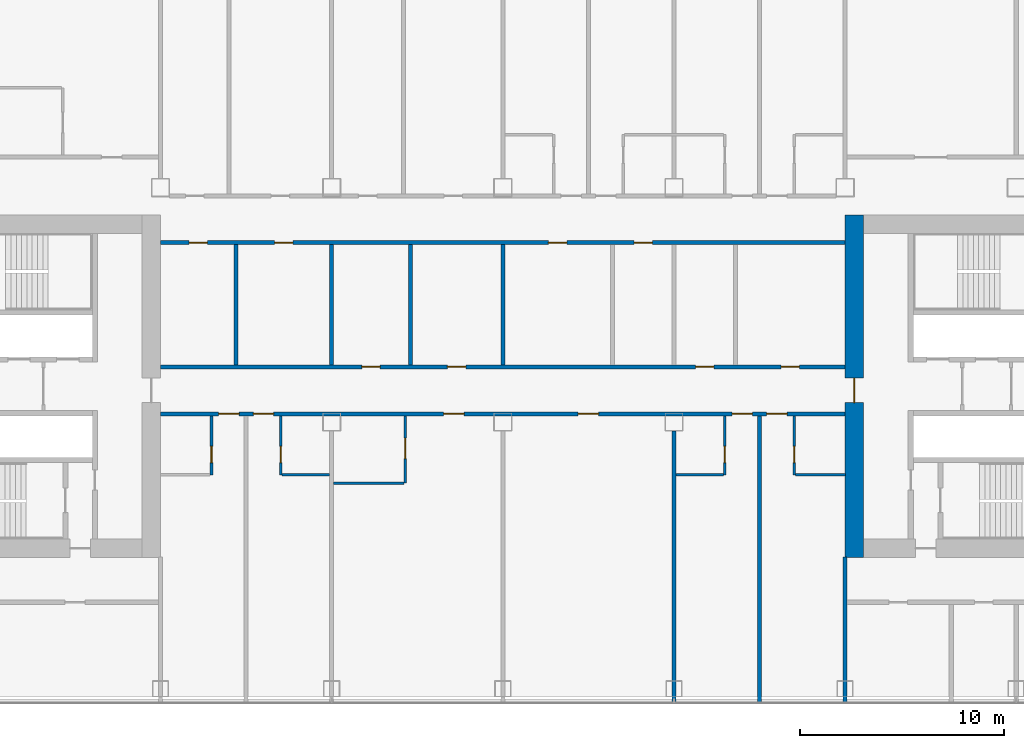
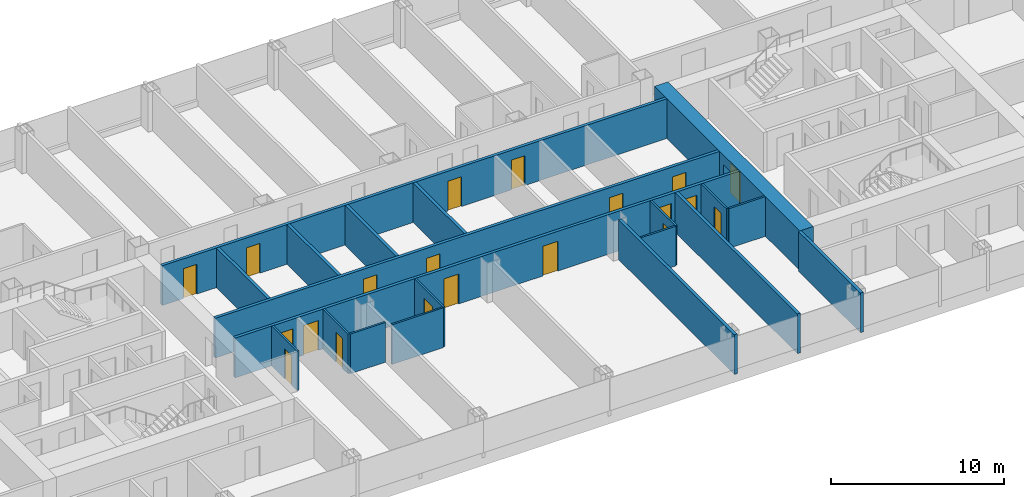
# One storey, part 17 of 29: 20 doors, 20 walls, 20 openings.
"""IFC4 building model written with IfcOpenShell, lengths in metres."""

from ifc_helpers import new_model, si_unit, direction, frame, frame_2d, origin, place, context, subcontext, project, spatial, rectangle, extrude, material, layer, layer_set, type_object, element, fill, save


model = new_model("IFC4")

# Units and contexts
model_context = context("Model", 3, precision=1e-05, world=origin(), true_north=direction((0.0, 1.0)))
body_context = subcontext(model_context, "Body", "Model", "MODEL_VIEW")
ifc_project = project(units=[si_unit("LENGTHUNIT", "METRE"), si_unit("AREAUNIT", "SQUARE_METRE"), si_unit("VOLUMEUNIT", "CUBIC_METRE"), si_unit("PLANEANGLEUNIT", "RADIAN"), si_unit("MASSUNIT", "GRAM", prefix="KILO")], contexts=[model_context])

# Site, building, storey
site_placement = place(None, origin())
site = spatial("IfcSite", under=ifc_project, at=site_placement, CompositionType="ELEMENT")
building_placement = place(site_placement, origin())
building = spatial("IfcBuilding", under=site, at=building_placement, Name="Hakoniwa Tower and Hamabe Station Hall", CompositionType="ELEMENT")
storey_placement = place(building_placement, frame((0.0, 0.0, 78.60009765625)))
storey = spatial("IfcBuildingStorey", under=building, at=storey_placement, Name="L21", CompositionType="ELEMENT", Elevation=78.60009765625)

# Walls
ifc_material_1 = material(Name="Gypsum board partition", Category="gypsum")
ifc_layer_1 = layer(ifc_material_1, 0.125)
ifc_layer_set_1 = layer_set([ifc_layer_1], Name="Bathroom Partition 125")
wall_type_1 = type_object("IfcWallType", Name="Bathroom Partition 125", PredefinedType="PARTITIONING", material=ifc_layer_set_1)
wall_1_placement = place(storey_placement, frame((-8.300048828125, -4.75, 0.0), z_axis=(0.0, 0.0, 1.0), x_axis=(1.0, 0.0, 0.0)))
element("IfcWall", 1, at=wall_1_placement, inside=storey, type_object=wall_type_1, Name="GW-L21-007", PredefinedType="PARTITIONING", context=body_context, shape_type="SweptSolid", body=[
    extrude(rectangle(XDim=3.4375, YDim=0.125, at=frame_2d((1.71875, 0.0))), origin(), (0.0, 0.0, 1.0), 2.7998046875),
])
for number, where, z_axis, x_axis, name in (
    (2, (-10.83740234375, -4.35009765625, 0.0), (0.0, 0.0, 1.0), (1.0, 0.0, 0.0), "GW-L21-009"),
    (3, (8.5, -4.35009765625, 0.0), (0.0, 0.0, 1.0), (1.0, 0.0, 0.0), "GW-L21-010"),
):
    element("IfcWall", number, at=place(storey_placement, frame(where, z_axis=z_axis, x_axis=x_axis)), inside=storey, type_object=wall_type_1, Name=name, PredefinedType="PARTITIONING", context=body_context, shape_type="SweptSolid", body=[
        extrude(rectangle(XDim=2.33740234375, YDim=0.125, at=frame_2d((1.168701171875, 0.0))), origin(), (0.0, 0.0, 1.0), 2.7998046875),
    ])
wall_2_placement = place(storey_placement, frame((14.362548828125, -4.35009765625, 0.0), z_axis=(0.0, 0.0, 1.0), x_axis=(1.0, 0.0, 0.0)))
element("IfcWall", 4, at=wall_2_placement, inside=storey, type_object=wall_type_1, Name="GW-L21-011", PredefinedType="PARTITIONING", context=body_context, shape_type="SweptSolid", body=[
    extrude(rectangle(XDim=2.447509765625, YDim=0.125, at=frame_2d((1.2236328125, 0.0))), origin(), (0.0, 0.0, 1.0), 2.7998046875),
])

# Wall, opening, door
wall_3_placement = place(storey_placement, frame((-14.300048828125, -4.35009765625, 0.0), z_axis=(0.0, 0.0, 1.0), x_axis=(0.0, 1.0, 0.0)))
wall_3 = element("IfcWall", 5, at=wall_3_placement, inside=storey, type_object=wall_type_1, Name="GW-L21-049", PredefinedType="PARTITIONING", context=body_context, shape_type="SweptSolid", body=[
    extrude(rectangle(XDim=2.900146484375, YDim=0.125, at=frame_2d((1.4501953125, 0.0))), origin(), (0.0, 0.0, 1.0), 2.7998046875),
])
opening_1_placement = place(wall_3_placement, frame((0.60009765625, 0.0, 0.0)))
opening_1 = element("IfcOpeningElement", 6, at=opening_1_placement, cuts=wall_3, Name="Opening GD-G2B0-57", PredefinedType="OPENING", context=body_context, shape_type="SweptSolid", body=[
    extrude(rectangle(XDim=0.800048828125, YDim=2.10009765625, at=frame_2d((0.39990234375, 1.050048828125))), frame((0.0, 0.072509765625, 0.0), z_axis=(0.0, -1.0, 0.0), x_axis=(1.0, 0.0, 0.0)), (0.0, 0.0, 1.0), 0.14501953125),
])
ifc_material_2 = material(Name="Timber door leaf", Category="wood")
door_type_1 = type_object("IfcDoorType", Name="Bathroom Door 800", OperationType="SINGLE_SWING_LEFT", PredefinedType="DOOR", material=ifc_material_2)
door_1_placement = place(opening_1_placement, origin())
door_1 = element("IfcDoor", 7, at=door_1_placement, inside=storey, type_object=door_type_1, Name="Door GD-G2B0-57", OperationType="SINGLE_SWING_RIGHT", OverallHeight=2.10009765625, OverallWidth=0.800048828125, PredefinedType="DOOR", context=body_context, shape_type="SweptSolid", body=[
    extrude(rectangle(XDim=0.800048828125, YDim=2.10009765625, at=frame_2d((0.39990234375, 1.050048828125))), frame((0.0, 0.02490234375, 0.0), z_axis=(0.0, -1.0, 0.0), x_axis=(1.0, 0.0, 0.0)), (0.0, 0.0, 1.0), 0.050048828125),
])
fill(opening_1, door_1)

wall_4_placement = place(storey_placement, frame((-10.89990234375, -4.35009765625, 0.0), z_axis=(0.0, 0.0, 1.0), x_axis=(0.0, 1.0, 0.0)))
wall_4 = element("IfcWall", 8, at=wall_4_placement, inside=storey, type_object=wall_type_1, Name="GW-L21-053", PredefinedType="PARTITIONING", context=body_context, shape_type="SweptSolid", body=[
    extrude(rectangle(XDim=2.900146484375, YDim=0.125, at=frame_2d((1.4501953125, 0.0))), origin(), (0.0, 0.0, 1.0), 2.7998046875),
])
opening_2_placement = place(wall_4_placement, frame((0.60009765625, 0.0, 0.0)))
opening_2 = element("IfcOpeningElement", 9, at=opening_2_placement, cuts=wall_4, Name="Opening GD-G2B0-58", PredefinedType="OPENING", context=body_context, shape_type="SweptSolid", body=[
    extrude(rectangle(XDim=0.800048828125, YDim=2.10009765625, at=frame_2d((0.39990234375, 1.050048828125))), frame((0.0, 0.072509765625, 0.0), z_axis=(0.0, -1.0, 0.0), x_axis=(1.0, 0.0, 0.0)), (0.0, 0.0, 1.0), 0.14501953125),
])
door_2_placement = place(opening_2_placement, origin())
door_2 = element("IfcDoor", 10, at=door_2_placement, inside=storey, type_object=door_type_1, Name="Door GD-G2B0-58", OperationType="SINGLE_SWING_LEFT", OverallHeight=2.10009765625, OverallWidth=0.800048828125, PredefinedType="DOOR", context=body_context, shape_type="SweptSolid", body=[
    extrude(rectangle(XDim=0.800048828125, YDim=2.10009765625, at=frame_2d((0.39990234375, 1.050048828125))), frame((0.0, 0.02490234375, 0.0), z_axis=(0.0, -1.0, 0.0), x_axis=(1.0, 0.0, 0.0)), (0.0, 0.0, 1.0), 0.050048828125),
])
fill(opening_2, door_2)

wall_5_placement = place(storey_placement, frame((-4.800048828125, -4.75, 0.0), z_axis=(0.0, 0.0, 1.0), x_axis=(0.0, 1.0, 0.0)))
wall_5 = element("IfcWall", 11, at=wall_5_placement, inside=storey, type_object=wall_type_1, Name="GW-L21-058", PredefinedType="PARTITIONING", context=body_context, shape_type="SweptSolid", body=[
    extrude(rectangle(XDim=3.300048828125, YDim=0.125, at=frame_2d((1.64990234375, 0.0))), origin(), (0.0, 0.0, 1.0), 2.7998046875),
])
opening_3_placement = place(wall_5_placement, frame((1.199951171875, 0.0, 0.0)))
opening_3 = element("IfcOpeningElement", 12, at=opening_3_placement, cuts=wall_5, Name="Opening GD-G2B0-59", PredefinedType="OPENING", context=body_context, shape_type="SweptSolid", body=[
    extrude(rectangle(XDim=1.0, YDim=2.10009765625, at=frame_2d((0.5, 1.050048828125))), frame((0.0, 0.072509765625, 0.0), z_axis=(0.0, -1.0, 0.0), x_axis=(1.0, 0.0, 0.0)), (0.0, 0.0, 1.0), 0.14501953125),
])
ifc_material_3 = material(Name="Timber door leaf", Category="wood")
door_type_2 = type_object("IfcDoorType", Name="Accessible Bathroom Door 1000", OperationType="SINGLE_SWING_LEFT", PredefinedType="DOOR", material=ifc_material_3)
door_3_placement = place(opening_3_placement, origin())
door_3 = element("IfcDoor", 13, at=door_3_placement, inside=storey, type_object=door_type_2, Name="Door GD-G2B0-59", OperationType="SINGLE_SWING_RIGHT", OverallHeight=2.10009765625, OverallWidth=1.0, PredefinedType="DOOR", context=body_context, shape_type="SweptSolid", body=[
    extrude(rectangle(XDim=1.0, YDim=2.10009765625, at=frame_2d((0.5, 1.050048828125))), frame((0.0, 0.02490234375, 0.0), z_axis=(0.0, -1.0, 0.0), x_axis=(1.0, 0.0, 0.0)), (0.0, 0.0, 1.0), 0.050048828125),
])
fill(opening_3, door_3)

wall_6_placement = place(storey_placement, frame((10.89990234375, -4.35009765625, 0.0), z_axis=(0.0, 0.0, 1.0), x_axis=(0.0, 1.0, 0.0)))
wall_6 = element("IfcWall", 14, at=wall_6_placement, inside=storey, type_object=wall_type_1, Name="GW-L21-070", PredefinedType="PARTITIONING", context=body_context, shape_type="SweptSolid", body=[
    extrude(rectangle(XDim=2.900146484375, YDim=0.125, at=frame_2d((1.4501953125, 0.0))), origin(), (0.0, 0.0, 1.0), 2.7998046875),
])
opening_4_placement = place(wall_6_placement, frame((0.60009765625, 0.0, 0.0)))
opening_4 = element("IfcOpeningElement", 15, at=opening_4_placement, cuts=wall_6, Name="Opening GD-G2B0-62", PredefinedType="OPENING", context=body_context, shape_type="SweptSolid", body=[
    extrude(rectangle(XDim=0.800048828125, YDim=2.10009765625, at=frame_2d((0.39990234375, 1.050048828125))), frame((0.0, 0.072509765625, 0.0), z_axis=(0.0, -1.0, 0.0), x_axis=(1.0, 0.0, 0.0)), (0.0, 0.0, 1.0), 0.14501953125),
])
door_4_placement = place(opening_4_placement, origin())
door_4 = element("IfcDoor", 16, at=door_4_placement, inside=storey, type_object=door_type_1, Name="Door GD-G2B0-62", OperationType="SINGLE_SWING_RIGHT", OverallHeight=2.10009765625, OverallWidth=0.800048828125, PredefinedType="DOOR", context=body_context, shape_type="SweptSolid", body=[
    extrude(rectangle(XDim=0.800048828125, YDim=2.10009765625, at=frame_2d((0.39990234375, 1.050048828125))), frame((0.0, 0.02490234375, 0.0), z_axis=(0.0, -1.0, 0.0), x_axis=(1.0, 0.0, 0.0)), (0.0, 0.0, 1.0), 0.050048828125),
])
fill(opening_4, door_4)

wall_7_placement = place(storey_placement, frame((14.300048828125, -4.35009765625, 0.0), z_axis=(0.0, 0.0, 1.0), x_axis=(0.0, 1.0, 0.0)))
wall_7 = element("IfcWall", 17, at=wall_7_placement, inside=storey, type_object=wall_type_1, Name="GW-L21-075", PredefinedType="PARTITIONING", context=body_context, shape_type="SweptSolid", body=[
    extrude(rectangle(XDim=2.900146484375, YDim=0.125, at=frame_2d((1.4501953125, 0.0))), origin(), (0.0, 0.0, 1.0), 2.7998046875),
])
opening_5_placement = place(wall_7_placement, frame((0.60009765625, 0.0, 0.0)))
opening_5 = element("IfcOpeningElement", 18, at=opening_5_placement, cuts=wall_7, Name="Opening GD-G2B0-64", PredefinedType="OPENING", context=body_context, shape_type="SweptSolid", body=[
    extrude(rectangle(XDim=0.800048828125, YDim=2.10009765625, at=frame_2d((0.39990234375, 1.050048828125))), frame((0.0, 0.072509765625, 0.0), z_axis=(0.0, -1.0, 0.0), x_axis=(1.0, 0.0, 0.0)), (0.0, 0.0, 1.0), 0.14501953125),
])
door_5_placement = place(opening_5_placement, origin())
door_5 = element("IfcDoor", 19, at=door_5_placement, inside=storey, type_object=door_type_1, Name="Door GD-G2B0-64", OperationType="SINGLE_SWING_LEFT", OverallHeight=2.10009765625, OverallWidth=0.800048828125, PredefinedType="DOOR", context=body_context, shape_type="SweptSolid", body=[
    extrude(rectangle(XDim=0.800048828125, YDim=2.10009765625, at=frame_2d((0.39990234375, 1.050048828125))), frame((0.0, 0.02490234375, 0.0), z_axis=(0.0, -1.0, 0.0), x_axis=(1.0, 0.0, 0.0)), (0.0, 0.0, 1.0), 0.050048828125),
])
fill(opening_5, door_5)

ifc_material_4 = material(Name="Concrete C72", Category="concrete")
ifc_layer_2 = layer(ifc_material_4, 0.89990234375)
ifc_layer_set_2 = layer_set([ifc_layer_2], Name="CORE WALL 900 C72")
wall_type_2 = type_object("IfcWallType", Name="CORE WALL 900 C72", PredefinedType="SHEAR", material=ifc_layer_set_2)
wall_8_placement = place(storey_placement, frame((17.25, -8.39990234375, 0.0), z_axis=(0.0, 0.0, 1.0), x_axis=(0.0, 1.0, 0.0)))
wall_8 = element("IfcWall", 20, at=wall_8_placement, inside=storey, type_object=wall_type_2, Name="Core wall INNER east", PredefinedType="SHEAR", context=body_context, shape_type="SweptSolid", body=[
    extrude(rectangle(XDim=16.7998046875, YDim=0.89990234375, at=frame_2d((8.39990234375, 0.0))), origin(), (0.0, 0.0, 1.0), 2.7998046875),
])
opening_6_placement = place(wall_8_placement, frame((7.60009765625, 0.0, 0.0)))
opening_6 = element("IfcOpeningElement", 21, at=opening_6_placement, cuts=wall_8, Name="Opening CD-E-IN1-12", PredefinedType="OPENING", context=body_context, shape_type="SweptSolid", body=[
    extrude(rectangle(XDim=1.199951171875, YDim=2.10009765625, at=frame_2d((0.60009765625, 1.050048828125))), frame((0.0, 0.4599609375, 0.0), z_axis=(0.0, -1.0, 0.0), x_axis=(1.0, 0.0, 0.0)), (0.0, 0.0, 1.0), 0.919921875),
])
ifc_material_5 = material(Name="Steel fire door", Category="steel")
door_type_3 = type_object("IfcDoorType", Name="CORE DOOR 1200 FD60", OperationType="DOUBLE_DOOR_SINGLE_SWING", PredefinedType="DOOR", material=ifc_material_5)
door_6_placement = place(opening_6_placement, origin())
door_6 = element("IfcDoor", 22, at=door_6_placement, inside=storey, type_object=door_type_3, Name="Lift lobby door", OperationType="DOUBLE_DOOR_SINGLE_SWING", OverallHeight=2.10009765625, OverallWidth=1.199951171875, PredefinedType="DOOR", context=body_context, shape_type="SweptSolid", body=[
    extrude(rectangle(XDim=1.199951171875, YDim=2.10009765625, at=frame_2d((0.60009765625, 1.050048828125))), frame((0.0, 0.02490234375, 0.0), z_axis=(0.0, -1.0, 0.0), x_axis=(1.0, 0.0, 0.0)), (0.0, 0.0, 1.0), 0.050048828125),
])
fill(opening_6, door_6)

# Wall, openings, doors
ifc_material_6 = material(Name="Fire-rated gypsum board partition", Category="gypsum")
ifc_layer_3 = layer(ifc_material_6, 0.199951171875)
ifc_layer_set_3 = layer_set([ifc_layer_3], Name="Corridor Wall 200")
wall_type_3 = type_object("IfcWallType", Name="Corridor Wall 200", PredefinedType="PARTITIONING", material=ifc_layer_set_3)
wall_9_placement = place(storey_placement, frame((-16.800048828125, -1.35009765625, 0.0), z_axis=(0.0, 0.0, 1.0), x_axis=(1.0, 0.0, 0.0)))
wall_9 = element("IfcWall", 23, at=wall_9_placement, inside=storey, type_object=wall_type_3, Name="GW-L21-012", PredefinedType="PARTITIONING", context=body_context, shape_type="SweptSolid", body=[
    extrude(rectangle(XDim=33.60009765625, YDim=0.199951171875, at=frame_2d((16.800048828125, 0.0))), origin(), (0.0, 0.0, 1.0), 2.7998046875),
])
opening_7_placement = place(wall_9_placement, frame((2.85009765625, 0.0, 0.0)))
opening_7 = element("IfcOpeningElement", 24, at=opening_7_placement, cuts=wall_9, Name="Opening GD-G2B0-18", PredefinedType="OPENING", context=body_context, shape_type="SweptSolid", body=[
    extrude(rectangle(XDim=1.0, YDim=2.10009765625, at=frame_2d((0.5, 1.050048828125))), frame((0.0, 0.10986328125, 0.0), z_axis=(0.0, -1.0, 0.0), x_axis=(1.0, 0.0, 0.0)), (0.0, 0.0, 1.0), 0.219970703125),
])
opening_8_placement = place(wall_9_placement, frame((4.550048828125, 0.0, 0.0)))
opening_8 = element("IfcOpeningElement", 25, at=opening_8_placement, cuts=wall_9, Name="Opening GD-G2B0-19", PredefinedType="OPENING", context=body_context, shape_type="SweptSolid", body=[
    extrude(rectangle(XDim=1.0, YDim=2.10009765625, at=frame_2d((0.5, 1.050048828125))), frame((0.0, 0.10986328125, 0.0), z_axis=(0.0, -1.0, 0.0), x_axis=(1.0, 0.0, 0.0)), (0.0, 0.0, 1.0), 0.219970703125),
])
opening_9_placement = place(wall_9_placement, frame((13.89990234375, 0.0, 0.0)))
opening_9 = element("IfcOpeningElement", 26, at=opening_9_placement, cuts=wall_9, Name="Opening GD-G2B0-20", PredefinedType="OPENING", context=body_context, shape_type="SweptSolid", body=[
    extrude(rectangle(XDim=1.0, YDim=2.10009765625, at=frame_2d((0.5, 1.050048828125))), frame((0.0, 0.10986328125, 0.0), z_axis=(0.0, -1.0, 0.0), x_axis=(1.0, 0.0, 0.0)), (0.0, 0.0, 1.0), 0.219970703125),
])
opening_10_placement = place(wall_9_placement, frame((20.5, 0.0, 0.0)))
opening_10 = element("IfcOpeningElement", 27, at=opening_10_placement, cuts=wall_9, Name="Opening GD-G2B0-21", PredefinedType="OPENING", context=body_context, shape_type="SweptSolid", body=[
    extrude(rectangle(XDim=1.0, YDim=2.10009765625, at=frame_2d((0.5, 1.050048828125))), frame((0.0, 0.10986328125, 0.0), z_axis=(0.0, -1.0, 0.0), x_axis=(1.0, 0.0, 0.0)), (0.0, 0.0, 1.0), 0.219970703125),
])
opening_11_placement = place(wall_9_placement, frame((28.050048828125, 0.0, 0.0)))
opening_11 = element("IfcOpeningElement", 28, at=opening_11_placement, cuts=wall_9, Name="Opening GD-G2B0-22", PredefinedType="OPENING", context=body_context, shape_type="SweptSolid", body=[
    extrude(rectangle(XDim=1.0, YDim=2.10009765625, at=frame_2d((0.5, 1.050048828125))), frame((0.0, 0.10986328125, 0.0), z_axis=(0.0, -1.0, 0.0), x_axis=(1.0, 0.0, 0.0)), (0.0, 0.0, 1.0), 0.219970703125),
])
opening_12_placement = place(wall_9_placement, frame((29.75, 0.0, 0.0)))
opening_12 = element("IfcOpeningElement", 29, at=opening_12_placement, cuts=wall_9, Name="Opening GD-G2B0-23", PredefinedType="OPENING", context=body_context, shape_type="SweptSolid", body=[
    extrude(rectangle(XDim=1.0, YDim=2.10009765625, at=frame_2d((0.5, 1.050048828125))), frame((0.0, 0.10986328125, 0.0), z_axis=(0.0, -1.0, 0.0), x_axis=(1.0, 0.0, 0.0)), (0.0, 0.0, 1.0), 0.219970703125),
])
ifc_material_7 = material(Name="Timber door leaf", Category="wood")
door_type_4 = type_object("IfcDoorType", Name="Accessible Guest Entrance Door 1000", OperationType="SINGLE_SWING_LEFT", PredefinedType="DOOR", material=ifc_material_7)
door_7_placement = place(opening_9_placement, origin())
door_7 = element("IfcDoor", 30, at=door_7_placement, inside=storey, type_object=door_type_4, Name="Door GD-G2B0-20", OperationType="SINGLE_SWING_LEFT", OverallHeight=2.10009765625, OverallWidth=1.0, PredefinedType="DOOR", context=body_context, shape_type="SweptSolid", body=[
    extrude(rectangle(XDim=1.0, YDim=2.10009765625, at=frame_2d((0.5, 1.050048828125))), frame((0.0, 0.02490234375, 0.0), z_axis=(0.0, -1.0, 0.0), x_axis=(1.0, 0.0, 0.0)), (0.0, 0.0, 1.0), 0.050048828125),
])
fill(opening_9, door_7)
ifc_material_8 = material(Name="Timber door leaf", Category="wood")
door_type_5 = type_object("IfcDoorType", Name="Guest Entrance Door 1000", OperationType="SINGLE_SWING_LEFT", PredefinedType="DOOR", material=ifc_material_8)
door_8_placement = place(opening_7_placement, origin())
door_8 = element("IfcDoor", 31, at=door_8_placement, inside=storey, type_object=door_type_5, Name="Door GD-G2B0-18", OperationType="SINGLE_SWING_RIGHT", OverallHeight=2.10009765625, OverallWidth=1.0, PredefinedType="DOOR", context=body_context, shape_type="SweptSolid", body=[
    extrude(rectangle(XDim=1.0, YDim=2.10009765625, at=frame_2d((0.5, 1.050048828125))), frame((0.0, 0.02490234375, 0.0), z_axis=(0.0, -1.0, 0.0), x_axis=(1.0, 0.0, 0.0)), (0.0, 0.0, 1.0), 0.050048828125),
])
fill(opening_7, door_8)
door_9_placement = place(opening_8_placement, origin())
door_9 = element("IfcDoor", 32, at=door_9_placement, inside=storey, type_object=door_type_5, Name="Door GD-G2B0-19", OperationType="SINGLE_SWING_LEFT", OverallHeight=2.10009765625, OverallWidth=1.0, PredefinedType="DOOR", context=body_context, shape_type="SweptSolid", body=[
    extrude(rectangle(XDim=1.0, YDim=2.10009765625, at=frame_2d((0.5, 1.050048828125))), frame((0.0, 0.02490234375, 0.0), z_axis=(0.0, -1.0, 0.0), x_axis=(1.0, 0.0, 0.0)), (0.0, 0.0, 1.0), 0.050048828125),
])
fill(opening_8, door_9)
door_10_placement = place(opening_10_placement, origin())
door_10 = element("IfcDoor", 33, at=door_10_placement, inside=storey, type_object=door_type_5, Name="Door GD-G2B0-21", OperationType="SINGLE_SWING_RIGHT", OverallHeight=2.10009765625, OverallWidth=1.0, PredefinedType="DOOR", context=body_context, shape_type="SweptSolid", body=[
    extrude(rectangle(XDim=1.0, YDim=2.10009765625, at=frame_2d((0.5, 1.050048828125))), frame((0.0, 0.02490234375, 0.0), z_axis=(0.0, -1.0, 0.0), x_axis=(1.0, 0.0, 0.0)), (0.0, 0.0, 1.0), 0.050048828125),
])
fill(opening_10, door_10)
door_11_placement = place(opening_11_placement, origin())
door_11 = element("IfcDoor", 34, at=door_11_placement, inside=storey, type_object=door_type_5, Name="Door GD-G2B0-22", OperationType="SINGLE_SWING_LEFT", OverallHeight=2.10009765625, OverallWidth=1.0, PredefinedType="DOOR", context=body_context, shape_type="SweptSolid", body=[
    extrude(rectangle(XDim=1.0, YDim=2.10009765625, at=frame_2d((0.5, 1.050048828125))), frame((0.0, 0.02490234375, 0.0), z_axis=(0.0, -1.0, 0.0), x_axis=(1.0, 0.0, 0.0)), (0.0, 0.0, 1.0), 0.050048828125),
])
fill(opening_11, door_11)
door_12_placement = place(opening_12_placement, origin())
door_12 = element("IfcDoor", 35, at=door_12_placement, inside=storey, type_object=door_type_5, Name="Door GD-G2B0-23", OperationType="SINGLE_SWING_RIGHT", OverallHeight=2.10009765625, OverallWidth=1.0, PredefinedType="DOOR", context=body_context, shape_type="SweptSolid", body=[
    extrude(rectangle(XDim=1.0, YDim=2.10009765625, at=frame_2d((0.5, 1.050048828125))), frame((0.0, 0.02490234375, 0.0), z_axis=(0.0, -1.0, 0.0), x_axis=(1.0, 0.0, 0.0)), (0.0, 0.0, 1.0), 0.050048828125),
])
fill(opening_12, door_12)

wall_10_placement = place(storey_placement, frame((-16.800048828125, 0.949951171875, 0.0), z_axis=(0.0, 0.0, 1.0), x_axis=(1.0, 0.0, 0.0)))
wall_10 = element("IfcWall", 36, at=wall_10_placement, inside=storey, type_object=wall_type_3, Name="GW-L21-015", PredefinedType="PARTITIONING", context=body_context, shape_type="SweptSolid", body=[
    extrude(rectangle(XDim=33.60009765625, YDim=0.199951171875, at=frame_2d((16.800048828125, 0.0))), origin(), (0.0, 0.0, 1.0), 2.7998046875),
])
opening_13_placement = place(wall_10_placement, frame((9.8798828125, 0.0, 0.0)))
opening_13 = element("IfcOpeningElement", 37, at=opening_13_placement, cuts=wall_10, Name="Opening GD-G2B0-24", PredefinedType="OPENING", context=body_context, shape_type="SweptSolid", body=[
    extrude(rectangle(XDim=0.89990234375, YDim=2.10009765625, at=frame_2d((0.449951171875, 1.050048828125))), frame((0.0, 0.10986328125, 0.0), z_axis=(0.0, -1.0, 0.0), x_axis=(1.0, 0.0, 0.0)), (0.0, 0.0, 1.0), 0.219970703125),
])
opening_14_placement = place(wall_10_placement, frame((14.080078125, 0.0, 0.0)))
opening_14 = element("IfcOpeningElement", 38, at=opening_14_placement, cuts=wall_10, Name="Opening GD-G2B0-25", PredefinedType="OPENING", context=body_context, shape_type="SweptSolid", body=[
    extrude(rectangle(XDim=0.89990234375, YDim=2.10009765625, at=frame_2d((0.449951171875, 1.050048828125))), frame((0.0, 0.10986328125, 0.0), z_axis=(0.0, -1.0, 0.0), x_axis=(1.0, 0.0, 0.0)), (0.0, 0.0, 1.0), 0.219970703125),
])
opening_15_placement = place(wall_10_placement, frame((26.260009765625, 0.0, 0.0)))
opening_15 = element("IfcOpeningElement", 39, at=opening_15_placement, cuts=wall_10, Name="Opening GD-G2B0-26", PredefinedType="OPENING", context=body_context, shape_type="SweptSolid", body=[
    extrude(rectangle(XDim=0.89990234375, YDim=2.10009765625, at=frame_2d((0.449951171875, 1.050048828125))), frame((0.0, 0.10986328125, 0.0), z_axis=(0.0, -1.0, 0.0), x_axis=(1.0, 0.0, 0.0)), (0.0, 0.0, 1.0), 0.219970703125),
])
opening_16_placement = place(wall_10_placement, frame((30.4599609375, 0.0, 0.0)))
opening_16 = element("IfcOpeningElement", 40, at=opening_16_placement, cuts=wall_10, Name="Opening GD-G2B0-27", PredefinedType="OPENING", context=body_context, shape_type="SweptSolid", body=[
    extrude(rectangle(XDim=0.89990234375, YDim=2.10009765625, at=frame_2d((0.449951171875, 1.050048828125))), frame((0.0, 0.10986328125, 0.0), z_axis=(0.0, -1.0, 0.0), x_axis=(1.0, 0.0, 0.0)), (0.0, 0.0, 1.0), 0.219970703125),
])
ifc_material_9 = material(Name="Timber door leaf", Category="wood")
door_type_6 = type_object("IfcDoorType", Name="Service Door 900", OperationType="SINGLE_SWING_LEFT", PredefinedType="DOOR", material=ifc_material_9)
door_13_placement = place(opening_13_placement, origin())
door_13 = element("IfcDoor", 41, at=door_13_placement, inside=storey, type_object=door_type_6, Name="Door GD-G2B0-24", OperationType="SINGLE_SWING_RIGHT", OverallHeight=2.10009765625, OverallWidth=0.89990234375, PredefinedType="DOOR", context=body_context, shape_type="SweptSolid", body=[
    extrude(rectangle(XDim=0.89990234375, YDim=2.10009765625, at=frame_2d((0.449951171875, 1.050048828125))), frame((0.0, 0.02490234375, 0.0), z_axis=(0.0, -1.0, 0.0), x_axis=(1.0, 0.0, 0.0)), (0.0, 0.0, 1.0), 0.050048828125),
])
fill(opening_13, door_13)
door_14_placement = place(opening_14_placement, origin())
door_14 = element("IfcDoor", 42, at=door_14_placement, inside=storey, type_object=door_type_6, Name="Door GD-G2B0-25", OperationType="SINGLE_SWING_LEFT", OverallHeight=2.10009765625, OverallWidth=0.89990234375, PredefinedType="DOOR", context=body_context, shape_type="SweptSolid", body=[
    extrude(rectangle(XDim=0.89990234375, YDim=2.10009765625, at=frame_2d((0.449951171875, 1.050048828125))), frame((0.0, 0.02490234375, 0.0), z_axis=(0.0, -1.0, 0.0), x_axis=(1.0, 0.0, 0.0)), (0.0, 0.0, 1.0), 0.050048828125),
])
fill(opening_14, door_14)
door_15_placement = place(opening_15_placement, origin())
door_15 = element("IfcDoor", 43, at=door_15_placement, inside=storey, type_object=door_type_6, Name="Door GD-G2B0-26", OperationType="SINGLE_SWING_RIGHT", OverallHeight=2.10009765625, OverallWidth=0.89990234375, PredefinedType="DOOR", context=body_context, shape_type="SweptSolid", body=[
    extrude(rectangle(XDim=0.89990234375, YDim=2.10009765625, at=frame_2d((0.449951171875, 1.050048828125))), frame((0.0, 0.02490234375, 0.0), z_axis=(0.0, -1.0, 0.0), x_axis=(1.0, 0.0, 0.0)), (0.0, 0.0, 1.0), 0.050048828125),
])
fill(opening_15, door_15)
door_16_placement = place(opening_16_placement, origin())
door_16 = element("IfcDoor", 44, at=door_16_placement, inside=storey, type_object=door_type_6, Name="Door GD-G2B0-27", OperationType="SINGLE_SWING_LEFT", OverallHeight=2.10009765625, OverallWidth=0.89990234375, PredefinedType="DOOR", context=body_context, shape_type="SweptSolid", body=[
    extrude(rectangle(XDim=0.89990234375, YDim=2.10009765625, at=frame_2d((0.449951171875, 1.050048828125))), frame((0.0, 0.02490234375, 0.0), z_axis=(0.0, -1.0, 0.0), x_axis=(1.0, 0.0, 0.0)), (0.0, 0.0, 1.0), 0.050048828125),
])
fill(opening_16, door_16)

wall_11_placement = place(storey_placement, frame((-16.800048828125, 7.050048828125, 0.0), z_axis=(0.0, 0.0, 1.0), x_axis=(1.0, 0.0, 0.0)))
wall_11 = element("IfcWall", 45, at=wall_11_placement, inside=storey, type_object=wall_type_3, Name="GW-L21-018", PredefinedType="PARTITIONING", context=body_context, shape_type="SweptSolid", body=[
    extrude(rectangle(XDim=33.60009765625, YDim=0.199951171875, at=frame_2d((16.800048828125, 0.0))), origin(), (0.0, 0.0, 1.0), 2.7998046875),
])
opening_17_placement = place(wall_11_placement, frame((1.39990234375, 0.0, 0.0)))
opening_17 = element("IfcOpeningElement", 46, at=opening_17_placement, cuts=wall_11, Name="Opening GD-G2B0-30", PredefinedType="OPENING", context=body_context, shape_type="SweptSolid", body=[
    extrude(rectangle(XDim=0.89990234375, YDim=2.10009765625, at=frame_2d((0.449951171875, 1.050048828125))), frame((0.0, 0.10986328125, 0.0), z_axis=(0.0, -1.0, 0.0), x_axis=(1.0, 0.0, 0.0)), (0.0, 0.0, 1.0), 0.219970703125),
])
opening_18_placement = place(wall_11_placement, frame((5.60009765625, 0.0, 0.0)))
opening_18 = element("IfcOpeningElement", 47, at=opening_18_placement, cuts=wall_11, Name="Opening GD-G2B0-31", PredefinedType="OPENING", context=body_context, shape_type="SweptSolid", body=[
    extrude(rectangle(XDim=0.89990234375, YDim=2.10009765625, at=frame_2d((0.449951171875, 1.050048828125))), frame((0.0, 0.10986328125, 0.0), z_axis=(0.0, -1.0, 0.0), x_axis=(1.0, 0.0, 0.0)), (0.0, 0.0, 1.0), 0.219970703125),
])
opening_19_placement = place(wall_11_placement, frame((19.0400390625, 0.0, 0.0)))
opening_19 = element("IfcOpeningElement", 48, at=opening_19_placement, cuts=wall_11, Name="Opening GD-G2B0-32", PredefinedType="OPENING", context=body_context, shape_type="SweptSolid", body=[
    extrude(rectangle(XDim=0.89990234375, YDim=2.10009765625, at=frame_2d((0.449951171875, 1.050048828125))), frame((0.0, 0.10986328125, 0.0), z_axis=(0.0, -1.0, 0.0), x_axis=(1.0, 0.0, 0.0)), (0.0, 0.0, 1.0), 0.219970703125),
])
opening_20_placement = place(wall_11_placement, frame((23.239990234375, 0.0, 0.0)))
opening_20 = element("IfcOpeningElement", 49, at=opening_20_placement, cuts=wall_11, Name="Opening GD-G2B0-33", PredefinedType="OPENING", context=body_context, shape_type="SweptSolid", body=[
    extrude(rectangle(XDim=0.89990234375, YDim=2.10009765625, at=frame_2d((0.449951171875, 1.050048828125))), frame((0.0, 0.10986328125, 0.0), z_axis=(0.0, -1.0, 0.0), x_axis=(1.0, 0.0, 0.0)), (0.0, 0.0, 1.0), 0.219970703125),
])
door_17_placement = place(opening_17_placement, origin())
door_17 = element("IfcDoor", 50, at=door_17_placement, inside=storey, type_object=door_type_6, Name="Door GD-G2B0-30", OperationType="SINGLE_SWING_RIGHT", OverallHeight=2.10009765625, OverallWidth=0.89990234375, PredefinedType="DOOR", context=body_context, shape_type="SweptSolid", body=[
    extrude(rectangle(XDim=0.89990234375, YDim=2.10009765625, at=frame_2d((0.449951171875, 1.050048828125))), frame((0.0, 0.02490234375, 0.0), z_axis=(0.0, -1.0, 0.0), x_axis=(1.0, 0.0, 0.0)), (0.0, 0.0, 1.0), 0.050048828125),
])
fill(opening_17, door_17)
door_18_placement = place(opening_18_placement, origin())
door_18 = element("IfcDoor", 51, at=door_18_placement, inside=storey, type_object=door_type_6, Name="Door GD-G2B0-31", OperationType="SINGLE_SWING_LEFT", OverallHeight=2.10009765625, OverallWidth=0.89990234375, PredefinedType="DOOR", context=body_context, shape_type="SweptSolid", body=[
    extrude(rectangle(XDim=0.89990234375, YDim=2.10009765625, at=frame_2d((0.449951171875, 1.050048828125))), frame((0.0, 0.02490234375, 0.0), z_axis=(0.0, -1.0, 0.0), x_axis=(1.0, 0.0, 0.0)), (0.0, 0.0, 1.0), 0.050048828125),
])
fill(opening_18, door_18)
door_19_placement = place(opening_19_placement, origin())
door_19 = element("IfcDoor", 52, at=door_19_placement, inside=storey, type_object=door_type_6, Name="Door GD-G2B0-32", OperationType="SINGLE_SWING_RIGHT", OverallHeight=2.10009765625, OverallWidth=0.89990234375, PredefinedType="DOOR", context=body_context, shape_type="SweptSolid", body=[
    extrude(rectangle(XDim=0.89990234375, YDim=2.10009765625, at=frame_2d((0.449951171875, 1.050048828125))), frame((0.0, 0.02490234375, 0.0), z_axis=(0.0, -1.0, 0.0), x_axis=(1.0, 0.0, 0.0)), (0.0, 0.0, 1.0), 0.050048828125),
])
fill(opening_19, door_19)
door_20_placement = place(opening_20_placement, origin())
door_20 = element("IfcDoor", 53, at=door_20_placement, inside=storey, type_object=door_type_6, Name="Door GD-G2B0-33", OperationType="SINGLE_SWING_LEFT", OverallHeight=2.10009765625, OverallWidth=0.89990234375, PredefinedType="DOOR", context=body_context, shape_type="SweptSolid", body=[
    extrude(rectangle(XDim=0.89990234375, YDim=2.10009765625, at=frame_2d((0.449951171875, 1.050048828125))), frame((0.0, 0.02490234375, 0.0), z_axis=(0.0, -1.0, 0.0), x_axis=(1.0, 0.0, 0.0)), (0.0, 0.0, 1.0), 0.050048828125),
])
fill(opening_20, door_20)

# Walls
ifc_material_10 = material(Name="Fire-rated gypsum board partition", Category="gypsum")
ifc_layer_4 = layer(ifc_material_10, 0.199951171875)
ifc_layer_set_4 = layer_set([ifc_layer_4], Name="Party Wall 200")
wall_type_4 = type_object("IfcWallType", Name="Party Wall 200", PredefinedType="PARTITIONING", material=ifc_layer_set_4)
for number, where, z_axis, x_axis, name in (
    (54, (-13.10009765625, 1.050048828125, 0.0), (0.0, 0.0, 1.0), (0.0, 1.0, 0.0), "GW-L21-051"),
    (55, (-8.39990234375, 1.050048828125, 0.0), (0.0, 0.0, 1.0), (0.0, 1.0, 0.0), "GW-L21-055"),
    (56, (-4.5400390625, 1.050048828125, 0.0), (0.0, 0.0, 1.0), (0.0, 1.0, 0.0), "GW-L21-059"),
    (57, (0.0, 1.050048828125, 0.0), (0.0, 0.0, 1.0), (0.0, 1.0, 0.0), "GW-L21-061"),
):
    element("IfcWall", number, at=place(storey_placement, frame(where, z_axis=z_axis, x_axis=x_axis)), inside=storey, type_object=wall_type_4, Name=name, PredefinedType="PARTITIONING", context=body_context, shape_type="SweptSolid", body=[
        extrude(rectangle(XDim=5.89990234375, YDim=0.199951171875, at=frame_2d((2.949951171875, 0.0))), origin(), (0.0, 0.0, 1.0), 2.7998046875),
    ])
wall_12_placement = place(storey_placement, frame((8.39990234375, -15.550048828125, 0.0), z_axis=(0.0, 0.0, 1.0), x_axis=(0.0, 1.0, 0.0)))
element("IfcWall", 58, at=wall_12_placement, inside=storey, type_object=wall_type_4, Name="GW-L21-067", PredefinedType="PARTITIONING", context=body_context, shape_type="SweptSolid", body=[
    extrude(rectangle(XDim=13.360107421875, YDim=0.199951171875, at=frame_2d((6.68017578125, 0.0))), origin(), (0.0, 0.0, 1.0), 2.7998046875),
])
wall_13_placement = place(storey_placement, frame((12.60009765625, -15.550048828125, 0.0), z_axis=(0.0, 0.0, 1.0), x_axis=(0.0, 1.0, 0.0)))
element("IfcWall", 59, at=wall_13_placement, inside=storey, type_object=wall_type_4, Name="GW-L21-073", PredefinedType="PARTITIONING", context=body_context, shape_type="SweptSolid", body=[
    extrude(rectangle(XDim=14.10009765625, YDim=0.199951171875, at=frame_2d((7.050048828125, 0.0))), origin(), (0.0, 0.0, 1.0), 2.7998046875),
])
wall_14_placement = place(storey_placement, frame((16.800048828125, -15.550048828125, 0.0), z_axis=(0.0, 0.0, 1.0), x_axis=(0.0, 1.0, 0.0)))
element("IfcWall", 60, at=wall_14_placement, inside=storey, type_object=wall_type_4, Name="GW-L21-077", PredefinedType="PARTITIONING", context=body_context, shape_type="SweptSolid", body=[
    extrude(rectangle(XDim=7.16015625, YDim=0.199951171875, at=frame_2d((3.580078125, 0.0))), origin(), (0.0, 0.0, 1.0), 2.7998046875),
])

save(model, "model.ifc")
